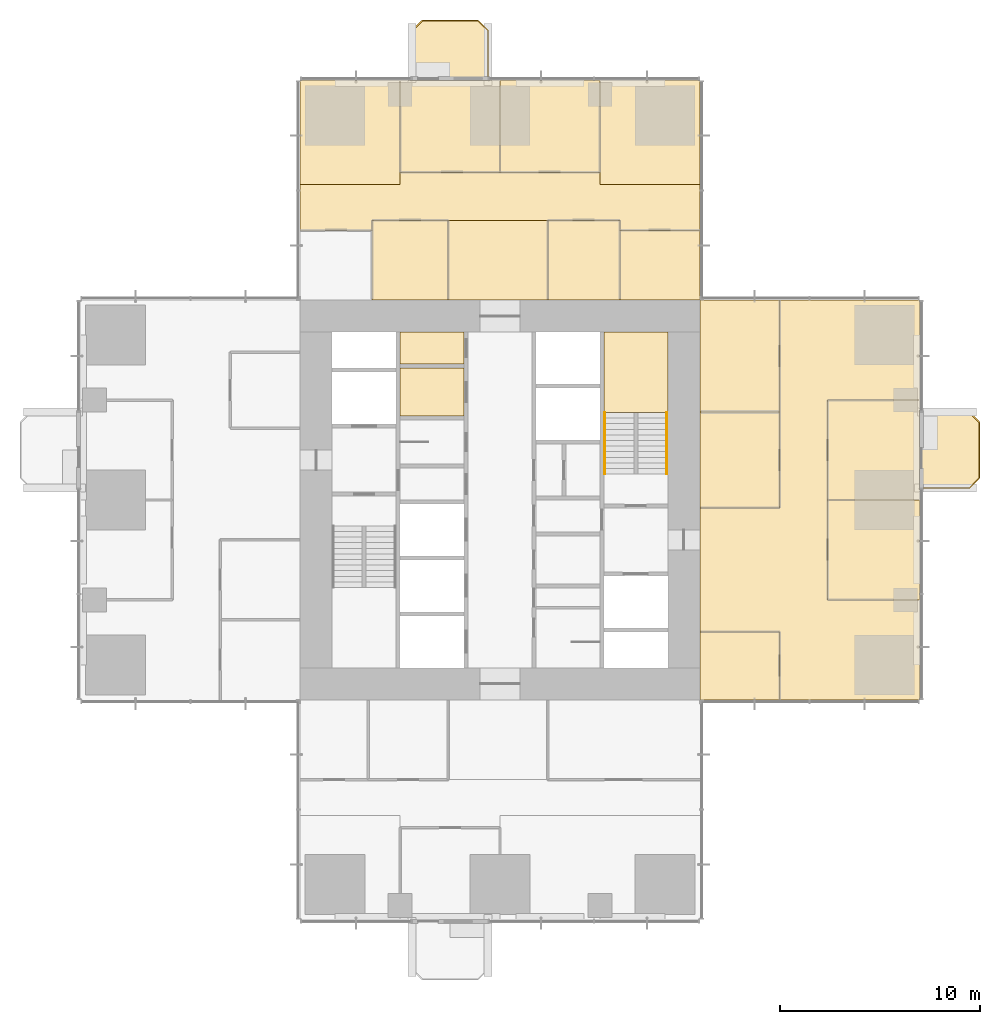
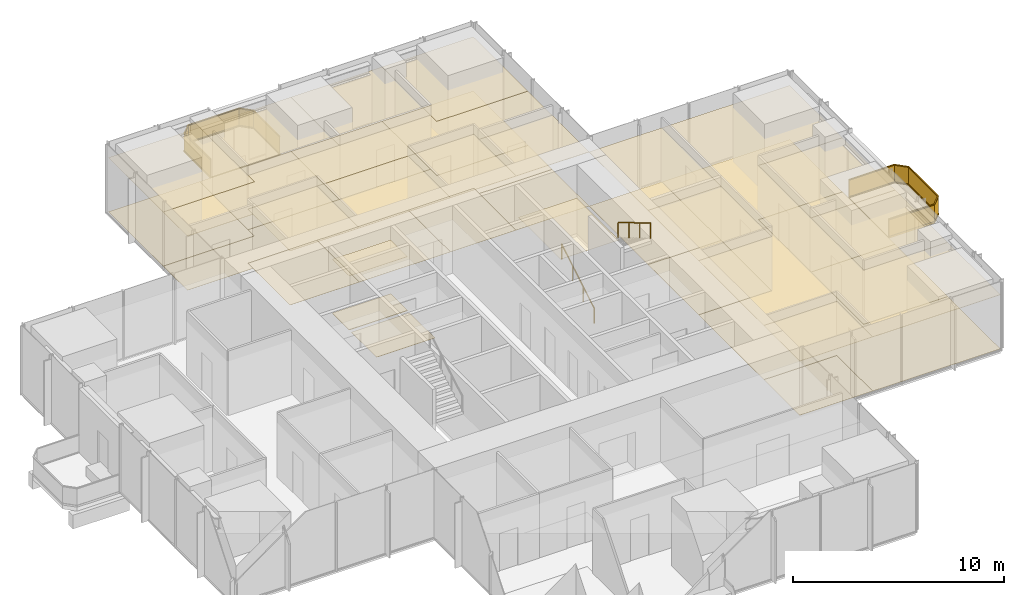
# One storey, part 13 of 14: 36 coverings, 4 railings.
"""IFC4 building model written with IfcOpenShell, lengths in metres."""

from ifc_helpers import new_model, si_unit, direction, frame, origin, origin_2d, place, context, subcontext, project, spatial, polyline, rectangle, circle, outline, extrude, material, layer, layer_set, type_object, element, save


model = new_model("IFC4")

# Units and contexts
model_context = context("Model", 3, precision=1e-05, world=origin(), true_north=direction((0.0, 1.0)))
body_context = subcontext(model_context, "Body", "Model", "MODEL_VIEW")
ifc_project = project(units=[si_unit("LENGTHUNIT", "METRE"), si_unit("AREAUNIT", "SQUARE_METRE"), si_unit("VOLUMEUNIT", "CUBIC_METRE"), si_unit("PLANEANGLEUNIT", "RADIAN"), si_unit("MASSUNIT", "GRAM", prefix="KILO")], contexts=[model_context])

# Site, building, storey
site_placement = place(None, origin())
site = spatial("IfcSite", under=ifc_project, at=site_placement, CompositionType="ELEMENT")
building_placement = place(site_placement, origin())
building = spatial("IfcBuilding", under=site, at=building_placement, Name="Svetlomir Tower", CompositionType="ELEMENT")
storey_placement = place(building_placement, frame((0.0, 0.0, 108.5)))
storey = spatial("IfcBuildingStorey", under=building, at=storey_placement, Name="L25", CompositionType="ELEMENT", Elevation=108.5)

# Railings
ifc_material_1 = material(Name="Bronze anodised aluminium and laminated glass", Category="aluminium")
railing_type_1 = type_object("IfcRailingType", Name="BALCONY GUARD GR1 1100", PredefinedType="GUARDRAIL", material=ifc_material_1)
railing_1_placement = place(storey_placement, frame((42.0, 21.60009765625, 0.0)))
element("IfcRailing", 1, at=railing_1_placement, inside=storey, type_object=railing_type_1, Name="Balcony guard E L25", PredefinedType="GUARDRAIL", context=body_context, shape_type="SweptSolid", body=[
    extrude(rectangle(XDim=0.06005859375, YDim=0.10009765625, at=origin_2d()), frame((0.0, 0.0, 0.050048828125), z_axis=(1.0, 0.0, 0.0), x_axis=(0.0, 1.0, 0.0)), (0.0, 0.0, 1.0), 2.5),
    extrude(rectangle(XDim=0.021484375, YDim=0.960205078125, at=origin_2d()), frame((0.0, 0.0, 0.580078125), z_axis=(1.0, 0.0, 0.0), x_axis=(0.0, 1.0, 0.0)), (0.0, 0.0, 1.0), 2.5),
    extrude(rectangle(XDim=0.06005859375, YDim=0.0400390625, at=origin_2d()), frame((0.0, 0.0, 1.080078125), z_axis=(1.0, 0.0, 0.0), x_axis=(0.0, 1.0, 0.0)), (0.0, 0.0, 1.0), 2.5),
    extrude(rectangle(XDim=0.06005859375, YDim=0.10009765625, at=origin_2d()), frame((2.5, 0.0, 0.050048828125), z_axis=(0.707106781187, 0.707106781187, 0.0), x_axis=(-0.707106781187, 0.707106781187, 0.0)), (0.0, 0.0, 1.0), 0.70703125),
    extrude(rectangle(XDim=0.021484375, YDim=0.960205078125, at=origin_2d()), frame((2.5, 0.0, 0.580078125), z_axis=(0.707106781187, 0.707106781187, 0.0), x_axis=(-0.707106781187, 0.707106781187, 0.0)), (0.0, 0.0, 1.0), 0.70703125),
    extrude(rectangle(XDim=0.06005859375, YDim=0.0400390625, at=origin_2d()), frame((2.5, 0.0, 1.080078125), z_axis=(0.707106781187, 0.707106781187, 0.0), x_axis=(-0.707106781187, 0.707106781187, 0.0)), (0.0, 0.0, 1.0), 0.70703125),
    extrude(rectangle(XDim=0.06005859375, YDim=0.10009765625, at=origin_2d()), frame((3.0, 0.5, 0.050048828125), z_axis=(0.0, 1.0, 0.0), x_axis=(-1.0, 0.0, 0.0)), (0.0, 0.0, 1.0), 2.7998046875),
    extrude(rectangle(XDim=0.021484375, YDim=0.960205078125, at=origin_2d()), frame((3.0, 0.5, 0.580078125), z_axis=(0.0, 1.0, 0.0), x_axis=(-1.0, 0.0, 0.0)), (0.0, 0.0, 1.0), 2.7998046875),
    extrude(rectangle(XDim=0.06005859375, YDim=0.0400390625, at=origin_2d()), frame((3.0, 0.5, 1.080078125), z_axis=(0.0, 1.0, 0.0), x_axis=(-1.0, 0.0, 0.0)), (0.0, 0.0, 1.0), 2.7998046875),
    extrude(rectangle(XDim=0.06005859375, YDim=0.10009765625, at=origin_2d()), frame((3.0, 3.2998046875, 0.050048828125), z_axis=(-0.707106781187, 0.707106781187, 0.0), x_axis=(-0.707106781187, -0.707106781187, 0.0)), (0.0, 0.0, 1.0), 0.70703125),
    extrude(rectangle(XDim=0.021484375, YDim=0.960205078125, at=origin_2d()), frame((3.0, 3.2998046875, 0.580078125), z_axis=(-0.707106781187, 0.707106781187, 0.0), x_axis=(-0.707106781187, -0.707106781187, 0.0)), (0.0, 0.0, 1.0), 0.70703125),
    extrude(rectangle(XDim=0.06005859375, YDim=0.0400390625, at=origin_2d()), frame((3.0, 3.2998046875, 1.080078125), z_axis=(-0.707106781187, 0.707106781187, 0.0), x_axis=(-0.707106781187, -0.707106781187, 0.0)), (0.0, 0.0, 1.0), 0.70703125),
    extrude(rectangle(XDim=0.06005859375, YDim=0.10009765625, at=origin_2d()), frame((2.5, 3.7998046875, 0.050048828125), z_axis=(-1.0, 0.0, 0.0), x_axis=(0.0, -1.0, 0.0)), (0.0, 0.0, 1.0), 2.5),
    extrude(rectangle(XDim=0.021484375, YDim=0.960205078125, at=origin_2d()), frame((2.5, 3.7998046875, 0.580078125), z_axis=(-1.0, 0.0, 0.0), x_axis=(0.0, -1.0, 0.0)), (0.0, 0.0, 1.0), 2.5),
    extrude(rectangle(XDim=0.06005859375, YDim=0.0400390625, at=origin_2d()), frame((2.5, 3.7998046875, 1.080078125), z_axis=(-1.0, 0.0, 0.0), x_axis=(0.0, -1.0, 0.0)), (0.0, 0.0, 1.0), 2.5),
])
railing_2_placement = place(storey_placement, frame((20.39990234375, 42.0, 0.0)))
element("IfcRailing", 2, at=railing_2_placement, inside=storey, type_object=railing_type_1, Name="Balcony guard N L25", PredefinedType="GUARDRAIL", context=body_context, shape_type="SweptSolid", body=[
    extrude(rectangle(XDim=0.06005859375, YDim=0.10009765625, at=origin_2d()), frame((0.0, 0.0, 0.050048828125), z_axis=(0.0, 1.0, 0.0), x_axis=(-1.0, 0.0, 0.0)), (0.0, 0.0, 1.0), 2.5),
    extrude(rectangle(XDim=0.021484375, YDim=0.960205078125, at=origin_2d()), frame((0.0, 0.0, 0.580078125), z_axis=(0.0, 1.0, 0.0), x_axis=(-1.0, 0.0, 0.0)), (0.0, 0.0, 1.0), 2.5),
    extrude(rectangle(XDim=0.06005859375, YDim=0.0400390625, at=origin_2d()), frame((0.0, 0.0, 1.080078125), z_axis=(0.0, 1.0, 0.0), x_axis=(-1.0, 0.0, 0.0)), (0.0, 0.0, 1.0), 2.5),
    extrude(rectangle(XDim=0.06005859375, YDim=0.10009765625, at=origin_2d()), frame((0.0, 2.5, 0.050048828125), z_axis=(-0.707106781187, 0.707106781187, 0.0), x_axis=(-0.707106781187, -0.707106781187, 0.0)), (0.0, 0.0, 1.0), 0.70703125),
    extrude(rectangle(XDim=0.021484375, YDim=0.960205078125, at=origin_2d()), frame((0.0, 2.5, 0.580078125), z_axis=(-0.707106781187, 0.707106781187, 0.0), x_axis=(-0.707106781187, -0.707106781187, 0.0)), (0.0, 0.0, 1.0), 0.70703125),
    extrude(rectangle(XDim=0.06005859375, YDim=0.0400390625, at=origin_2d()), frame((0.0, 2.5, 1.080078125), z_axis=(-0.707106781187, 0.707106781187, 0.0), x_axis=(-0.707106781187, -0.707106781187, 0.0)), (0.0, 0.0, 1.0), 0.70703125),
    extrude(rectangle(XDim=0.06005859375, YDim=0.10009765625, at=origin_2d()), frame((-0.5, 3.0, 0.050048828125), z_axis=(-1.0, 0.0, 0.0), x_axis=(0.0, -1.0, 0.0)), (0.0, 0.0, 1.0), 2.7998046875),
    extrude(rectangle(XDim=0.021484375, YDim=0.960205078125, at=origin_2d()), frame((-0.5, 3.0, 0.580078125), z_axis=(-1.0, 0.0, 0.0), x_axis=(0.0, -1.0, 0.0)), (0.0, 0.0, 1.0), 2.7998046875),
    extrude(rectangle(XDim=0.06005859375, YDim=0.0400390625, at=origin_2d()), frame((-0.5, 3.0, 1.080078125), z_axis=(-1.0, 0.0, 0.0), x_axis=(0.0, -1.0, 0.0)), (0.0, 0.0, 1.0), 2.7998046875),
    extrude(rectangle(XDim=0.06005859375, YDim=0.10009765625, at=origin_2d()), frame((-3.2998046875, 3.0, 0.050048828125), z_axis=(-0.707106781187, -0.707106781187, 0.0), x_axis=(0.707106781187, -0.707106781187, 0.0)), (0.0, 0.0, 1.0), 0.70703125),
    extrude(rectangle(XDim=0.021484375, YDim=0.960205078125, at=origin_2d()), frame((-3.2998046875, 3.0, 0.580078125), z_axis=(-0.707106781187, -0.707106781187, 0.0), x_axis=(0.707106781187, -0.707106781187, 0.0)), (0.0, 0.0, 1.0), 0.70703125),
    extrude(rectangle(XDim=0.06005859375, YDim=0.0400390625, at=origin_2d()), frame((-3.2998046875, 3.0, 1.080078125), z_axis=(-0.707106781187, -0.707106781187, 0.0), x_axis=(0.707106781187, -0.707106781187, 0.0)), (0.0, 0.0, 1.0), 0.70703125),
    extrude(rectangle(XDim=0.06005859375, YDim=0.10009765625, at=origin_2d()), frame((-3.7998046875, 2.5, 0.050048828125), z_axis=(0.0, -1.0, 0.0), x_axis=(1.0, 0.0, 0.0)), (0.0, 0.0, 1.0), 2.5),
    extrude(rectangle(XDim=0.021484375, YDim=0.960205078125, at=origin_2d()), frame((-3.7998046875, 2.5, 0.580078125), z_axis=(0.0, -1.0, 0.0), x_axis=(1.0, 0.0, 0.0)), (0.0, 0.0, 1.0), 2.5),
    extrude(rectangle(XDim=0.06005859375, YDim=0.0400390625, at=origin_2d()), frame((-3.7998046875, 2.5, 1.080078125), z_axis=(0.0, -1.0, 0.0), x_axis=(1.0, 0.0, 0.0)), (0.0, 0.0, 1.0), 2.5),
])

# Coverings
ifc_material_2 = material(Name="Granite paving slabs on pedestals", Category="masonry")
ifc_layer_1 = layer(ifc_material_2, 0.0400390625)
ifc_layer_set_1 = layer_set([ifc_layer_1], Name="Granite paving slabs on pedestals")
covering_type_1 = type_object("IfcCoveringType", Name="BALCONY PAVING 40", PredefinedType="USERDEFINED", material=ifc_layer_set_1)
covering_1_placement = place(storey_placement, origin())
element("IfcCovering", 3, at=covering_1_placement, inside=storey, type_object=covering_type_1, Name="Balcony paving E L25", ObjectType="BALCONY PAVING", PredefinedType="USERDEFINED", context=body_context, shape_type="SweptSolid", body=[
    extrude(outline(polyline([(42.0, 21.60009765625), (44.5, 21.60009765625), (45.0, 22.10009765625), (45.0, 24.89990234375), (44.5, 25.39990234375), (42.0, 25.39990234375), (42.0, 21.60009765625)])), origin(), (0.0, 0.0, 1.0), 0.0400390625),
])
covering_2_placement = place(storey_placement, origin())
element("IfcCovering", 4, at=covering_2_placement, inside=storey, type_object=covering_type_1, Name="Balcony paving N L25", ObjectType="BALCONY PAVING", PredefinedType="USERDEFINED", context=body_context, shape_type="SweptSolid", body=[
    extrude(outline(polyline([(16.60009765625, 42.0), (20.39990234375, 42.0), (20.39990234375, 44.5), (19.89990234375, 45.0), (17.10009765625, 45.0), (16.60009765625, 44.5), (16.60009765625, 42.0)])), origin(), (0.0, 0.0, 1.0), 0.0400390625),
])
ifc_material_3 = material(Name="Carpet tile", Category="textile")
ifc_layer_2 = layer(ifc_material_3, 0.010009765625)
ifc_layer_set_2 = layer_set([ifc_layer_2], Name="Carpet tile")
covering_type_2 = type_object("IfcCoveringType", Name="CARPET TILE FLOOR 10", PredefinedType="FLOORING", material=ifc_layer_set_2)
covering_3_placement = place(storey_placement, origin())
element("IfcCovering", 5, at=covering_3_placement, inside=storey, type_object=covering_type_2, Name="Floor finish L25-20", PredefinedType="FLOORING", context=body_context, shape_type="SweptSolid", body=[
    extrude(outline(polyline([(31.0, 11.0), (35.0, 11.0), (35.0, 14.39990234375), (31.0, 14.39990234375), (31.0, 11.0)])), origin(), (0.0, 0.0, 1.0), 0.010009765625),
])
covering_4_placement = place(storey_placement, origin())
element("IfcCovering", 6, at=covering_4_placement, inside=storey, type_object=covering_type_2, Name="Floor finish L25-21", PredefinedType="FLOORING", context=body_context, shape_type="SweptSolid", body=[
    extrude(outline(polyline([(31.0, 20.60009765625), (35.0, 20.60009765625), (35.0, 25.39990234375), (31.0, 25.39990234375), (31.0, 20.60009765625)])), origin(), (0.0, 0.0, 1.0), 0.010009765625),
])
covering_5_placement = place(storey_placement, origin())
element("IfcCovering", 7, at=covering_5_placement, inside=storey, type_object=covering_type_2, Name="Floor finish L25-22", PredefinedType="FLOORING", context=body_context, shape_type="SweptSolid", body=[
    extrude(outline(polyline([(31.0, 25.39990234375), (35.0, 25.39990234375), (35.0, 31.0), (31.0, 31.0), (31.0, 25.39990234375)])), origin(), (0.0, 0.0, 1.0), 0.010009765625),
])
covering_6_placement = place(storey_placement, origin())
element("IfcCovering", 8, at=covering_6_placement, inside=storey, type_object=covering_type_2, Name="Floor finish L25-23", PredefinedType="FLOORING", context=body_context, shape_type="SweptSolid", body=[
    extrude(outline(polyline([(37.39990234375, 16.0), (42.0, 16.0), (42.0, 21.0), (37.39990234375, 21.0), (37.39990234375, 16.0)])), origin(), (0.0, 0.0, 1.0), 0.010009765625),
])
covering_7_placement = place(storey_placement, origin())
element("IfcCovering", 9, at=covering_7_placement, inside=storey, type_object=covering_type_2, Name="Floor finish L25-24", PredefinedType="FLOORING", context=body_context, shape_type="SweptSolid", body=[
    extrude(outline(polyline([(37.39990234375, 21.0), (42.0, 21.0), (42.0, 26.0), (37.39990234375, 26.0), (37.39990234375, 21.0)])), origin(), (0.0, 0.0, 1.0), 0.010009765625),
])
covering_8_placement = place(storey_placement, origin())
element("IfcCovering", 10, at=covering_8_placement, inside=storey, type_object=covering_type_2, Name="Floor finish L25-26", PredefinedType="FLOORING", context=body_context, shape_type="SweptSolid", body=[
    extrude(outline(polyline([(14.60009765625, 31.0), (18.39990234375, 31.0), (18.39990234375, 35.0), (14.60009765625, 35.0), (14.60009765625, 31.0)])), origin(), (0.0, 0.0, 1.0), 0.010009765625),
])
covering_9_placement = place(storey_placement, origin())
element("IfcCovering", 11, at=covering_9_placement, inside=storey, type_object=covering_type_2, Name="Floor finish L25-27", PredefinedType="FLOORING", context=body_context, shape_type="SweptSolid", body=[
    extrude(outline(polyline([(23.39990234375, 31.0), (27.0, 31.0), (27.0, 35.0), (23.39990234375, 35.0), (23.39990234375, 31.0)])), origin(), (0.0, 0.0, 1.0), 0.010009765625),
])
covering_10_placement = place(storey_placement, origin())
element("IfcCovering", 12, at=covering_10_placement, inside=storey, type_object=covering_type_2, Name="Floor finish L25-28", PredefinedType="FLOORING", context=body_context, shape_type="SweptSolid", body=[
    extrude(outline(polyline([(27.0, 31.0), (31.0, 31.0), (31.0, 34.5), (27.0, 34.5), (27.0, 31.0)])), origin(), (0.0, 0.0, 1.0), 0.010009765625),
])
covering_11_placement = place(storey_placement, origin())
element("IfcCovering", 13, at=covering_11_placement, inside=storey, type_object=covering_type_2, Name="Floor finish L25-29", PredefinedType="FLOORING", context=body_context, shape_type="SweptSolid", body=[
    extrude(outline(polyline([(16.0, 37.39990234375), (21.0, 37.39990234375), (21.0, 42.0), (16.0, 42.0), (16.0, 37.39990234375)])), origin(), (0.0, 0.0, 1.0), 0.010009765625),
])
covering_12_placement = place(storey_placement, origin())
element("IfcCovering", 14, at=covering_12_placement, inside=storey, type_object=covering_type_2, Name="Floor finish L25-30", PredefinedType="FLOORING", context=body_context, shape_type="SweptSolid", body=[
    extrude(outline(polyline([(21.0, 37.39990234375), (26.0, 37.39990234375), (26.0, 42.0), (21.0, 42.0), (21.0, 37.39990234375)])), origin(), (0.0, 0.0, 1.0), 0.010009765625),
])
covering_13_placement = place(storey_placement, origin())
element("IfcCovering", 15, at=covering_13_placement, inside=storey, type_object=covering_type_2, Name="Floor finish L25-37", PredefinedType="FLOORING", context=body_context, shape_type="SweptSolid", body=[
    extrude(outline(polyline([(14.60009765625, 34.5), (11.0, 34.5), (11.0, 36.800048828125), (16.0, 36.800048828125), (16.0, 37.39990234375), (26.0, 37.39990234375), (26.0, 36.800048828125), (31.0, 36.800048828125), (31.0, 34.5), (27.0, 34.5), (27.0, 35.0), (14.60009765625, 35.0), (14.60009765625, 34.5)])), origin(), (0.0, 0.0, 1.0), 0.010009765625),
])
covering_14_placement = place(storey_placement, origin())
element("IfcCovering", 16, at=covering_14_placement, inside=storey, type_object=covering_type_2, Name="Floor finish L25-41", PredefinedType="FLOORING", context=body_context, shape_type="SweptSolid", body=[
    extrude(outline(polyline([(35.0, 14.39990234375), (31.0, 14.39990234375), (31.0, 20.60009765625), (35.0, 20.60009765625), (35.0, 31.0), (42.0, 31.0), (42.0, 26.0), (37.39990234375, 26.0), (37.39990234375, 16.0), (42.0, 16.0), (42.0, 11.0), (35.0, 11.0), (35.0, 14.39990234375)])), origin(), (0.0, 0.0, 1.0), 0.010009765625),
])
covering_15_placement = place(storey_placement, origin())
element("IfcCovering", 17, at=covering_15_placement, inside=storey, type_object=covering_type_2, Name="Floor finish L25-42", PredefinedType="FLOORING", context=body_context, shape_type="SweptSolid", body=[
    extrude(outline(polyline([(26.0, 36.800048828125), (26.0, 42.0), (31.0, 42.0), (31.0, 36.800048828125), (26.0, 36.800048828125)])), origin(), (0.0, 0.0, 1.0), 0.010009765625),
])
covering_16_placement = place(storey_placement, origin())
element("IfcCovering", 18, at=covering_16_placement, inside=storey, type_object=covering_type_2, Name="Floor finish L25-43", PredefinedType="FLOORING", context=body_context, shape_type="SweptSolid", body=[
    extrude(outline(polyline([(18.39990234375, 31.0), (18.39990234375, 35.0), (23.39990234375, 35.0), (23.39990234375, 31.0), (18.39990234375, 31.0)])), origin(), (0.0, 0.0, 1.0), 0.010009765625),
])
covering_17_placement = place(storey_placement, origin())
element("IfcCovering", 19, at=covering_17_placement, inside=storey, type_object=covering_type_2, Name="Floor finish L25-44", PredefinedType="FLOORING", context=body_context, shape_type="SweptSolid", body=[
    extrude(outline(polyline([(16.0, 42.0), (16.0, 36.800048828125), (11.0, 36.800048828125), (11.0, 42.0), (16.0, 42.0)])), origin(), (0.0, 0.0, 1.0), 0.010009765625),
])
ifc_material_4 = material(Name="Ceramic floor tile", Category="ceramic")
ifc_layer_3 = layer(ifc_material_4, 0.014892578125)
ifc_layer_set_3 = layer_set([ifc_layer_3], Name="Ceramic floor tile")
covering_type_3 = type_object("IfcCoveringType", Name="CERAMIC TILE FLOOR 15", PredefinedType="FLOORING", material=ifc_layer_set_3)
covering_18_placement = place(storey_placement, origin())
element("IfcCovering", 20, at=covering_18_placement, inside=storey, type_object=covering_type_3, Name="Floor finish L25-05", PredefinedType="FLOORING", context=body_context, shape_type="SweptSolid", body=[
    extrude(outline(polyline([(16.0, 25.199951171875), (19.199951171875, 25.199951171875), (19.199951171875, 27.60009765625), (16.0, 27.60009765625), (16.0, 25.199951171875)])), origin(), (0.0, 0.0, 1.0), 0.014892578125),
])

# Railings
ifc_material_5 = material(Name="Stainless steel", Category="steel")
railing_type_2 = type_object("IfcRailingType", Name="HANDRAIL HR1 900", PredefinedType="HANDRAIL", material=ifc_material_5)
railing_3_placement = place(storey_placement, frame((26.25, 22.300048828125, 0.166748046875)))
element("IfcRailing", 21, at=railing_3_placement, inside=storey, type_object=railing_type_2, Name="Handrail S2 flight 1 L25", PredefinedType="HANDRAIL", context=body_context, shape_type="SweptSolid", body=[
    extrude(circle(Radius=0.02392578125, at=origin_2d()), frame((0.0, 0.0, 0.8759765625), z_axis=(0.0, 0.859290745958, 0.51148745235), x_axis=(-1.0, 0.0, 0.0)), (0.0, 0.0, 1.0), 3.584228515625),
    extrude(circle(Radius=0.02099609375, at=origin_2d()), origin(), (0.0, 0.0, 1.0), 0.851806640625),
    extrude(circle(Radius=0.02099609375, at=origin_2d()), frame((0.0, 1.026611328125, 0.611083984375)), (0.0, 0.0, 1.0), 0.851806640625),
    extrude(circle(Radius=0.02099609375, at=origin_2d()), frame((0.0, 2.05322265625, 1.22216796875)), (0.0, 0.0, 1.0), 0.851806640625),
    extrude(circle(Radius=0.02099609375, at=origin_2d()), frame((0.0, 3.079833984375, 1.833251953125)), (0.0, 0.0, 1.0), 0.851806640625),
])
railing_4_placement = place(storey_placement, frame((29.35009765625, 25.3798828125, 2.166748046875)))
element("IfcRailing", 22, at=railing_4_placement, inside=storey, type_object=railing_type_2, Name="Handrail S2 flight 2 L25", PredefinedType="HANDRAIL", context=body_context, shape_type="SweptSolid", body=[
    extrude(circle(Radius=0.02392578125, at=origin_2d()), frame((0.0, 0.0, 0.8759765625), z_axis=(0.0, -0.859290745958, 0.51148745235), x_axis=(1.0, 0.0, 0.0)), (0.0, 0.0, 1.0), 3.584228515625),
    extrude(circle(Radius=0.02099609375, at=origin_2d()), origin(), (0.0, 0.0, 1.0), 0.851806640625),
    extrude(circle(Radius=0.02099609375, at=origin_2d()), frame((0.0, -1.026611328125, 0.611083984375)), (0.0, 0.0, 1.0), 0.851806640625),
    extrude(circle(Radius=0.02099609375, at=origin_2d()), frame((0.0, -2.05322265625, 1.22216796875)), (0.0, 0.0, 1.0), 0.851806640625),
    extrude(circle(Radius=0.02099609375, at=origin_2d()), frame((0.0, -3.079833984375, 1.833251953125)), (0.0, 0.0, 1.0), 0.851806640625),
])

# Coverings
ifc_material_6 = material(Name="Gypsum plasterboard ceiling", Category="gypsum")
ifc_layer_4 = layer(ifc_material_6, 0.014892578125)
ifc_layer_set_4 = layer_set([ifc_layer_4], Name="Gypsum plasterboard ceiling")
covering_type_4 = type_object("IfcCoveringType", Name="PLASTERBOARD CEILING 15", PredefinedType="CEILING", material=ifc_layer_set_4)
covering_19_placement = place(storey_placement, frame((0.0, 0.0, 3.135009765625)))
element("IfcCovering", 23, at=covering_19_placement, inside=storey, type_object=covering_type_4, Name="Ceiling L25-06", PredefinedType="CEILING", context=body_context, shape_type="SweptSolid", body=[
    extrude(outline(polyline([(16.0, 27.800048828125), (19.199951171875, 27.800048828125), (19.199951171875, 29.39990234375), (16.0, 29.39990234375), (16.0, 27.800048828125)])), origin(), (0.0, 0.0, 1.0), 0.014892578125),
])
ifc_material_7 = material(Name="Studded rubber floor finish", Category="rubber")
ifc_layer_5 = layer(ifc_material_7, 0.006103515625)
ifc_layer_set_5 = layer_set([ifc_layer_5], Name="Studded rubber floor finish")
covering_type_5 = type_object("IfcCoveringType", Name="RUBBER LANDING FINISH 6", PredefinedType="FLOORING", material=ifc_layer_set_5)
covering_20_placement = place(storey_placement, frame((0.0, 0.0, 2.0)))
element("IfcCovering", 24, at=covering_20_placement, inside=storey, type_object=covering_type_5, Name="Stair S2 landing finish L25", PredefinedType="FLOORING", context=body_context, shape_type="SweptSolid", body=[
    extrude(outline(polyline([(26.199951171875, 25.3798828125), (29.39990234375, 25.3798828125), (29.39990234375, 29.39990234375), (26.199951171875, 29.39990234375), (26.199951171875, 25.3798828125)])), origin(), (0.0, 0.0, 1.0), 0.006103515625),
])
ifc_material_8 = material(Name="Mineral fibre ceiling tile", Category="mineral")
ifc_layer_6 = layer(ifc_material_8, 0.02001953125)
ifc_layer_set_6 = layer_set([ifc_layer_6], Name="Mineral fibre ceiling tile")
covering_type_6 = type_object("IfcCoveringType", Name="SUSPENDED CEILING 20", PredefinedType="CEILING", material=ifc_layer_set_6)
covering_21_placement = place(storey_placement, frame((0.0, 0.0, 3.1298828125)))
element("IfcCovering", 25, at=covering_21_placement, inside=storey, type_object=covering_type_6, Name="Ceiling L25-20", PredefinedType="CEILING", context=body_context, shape_type="SweptSolid", body=[
    extrude(outline(polyline([(31.0, 11.0), (35.0, 11.0), (35.0, 14.39990234375), (31.0, 14.39990234375), (31.0, 11.0)])), origin(), (0.0, 0.0, 1.0), 0.02001953125),
])
covering_22_placement = place(storey_placement, frame((0.0, 0.0, 3.1298828125)))
element("IfcCovering", 26, at=covering_22_placement, inside=storey, type_object=covering_type_6, Name="Ceiling L25-21", PredefinedType="CEILING", context=body_context, shape_type="SweptSolid", body=[
    extrude(outline(polyline([(31.0, 20.60009765625), (35.0, 20.60009765625), (35.0, 25.39990234375), (31.0, 25.39990234375), (31.0, 20.60009765625)])), origin(), (0.0, 0.0, 1.0), 0.02001953125),
])
covering_23_placement = place(storey_placement, frame((0.0, 0.0, 3.1298828125)))
element("IfcCovering", 27, at=covering_23_placement, inside=storey, type_object=covering_type_6, Name="Ceiling L25-22", PredefinedType="CEILING", context=body_context, shape_type="SweptSolid", body=[
    extrude(outline(polyline([(31.0, 25.39990234375), (35.0, 25.39990234375), (35.0, 31.0), (31.0, 31.0), (31.0, 25.39990234375)])), origin(), (0.0, 0.0, 1.0), 0.02001953125),
])
covering_24_placement = place(storey_placement, frame((0.0, 0.0, 3.1298828125)))
element("IfcCovering", 28, at=covering_24_placement, inside=storey, type_object=covering_type_6, Name="Ceiling L25-23", PredefinedType="CEILING", context=body_context, shape_type="SweptSolid", body=[
    extrude(outline(polyline([(37.39990234375, 16.0), (42.0, 16.0), (42.0, 21.0), (37.39990234375, 21.0), (37.39990234375, 16.0)])), origin(), (0.0, 0.0, 1.0), 0.02001953125),
])
covering_25_placement = place(storey_placement, frame((0.0, 0.0, 3.1298828125)))
element("IfcCovering", 29, at=covering_25_placement, inside=storey, type_object=covering_type_6, Name="Ceiling L25-24", PredefinedType="CEILING", context=body_context, shape_type="SweptSolid", body=[
    extrude(outline(polyline([(37.39990234375, 21.0), (42.0, 21.0), (42.0, 26.0), (37.39990234375, 26.0), (37.39990234375, 21.0)])), origin(), (0.0, 0.0, 1.0), 0.02001953125),
])
covering_26_placement = place(storey_placement, frame((0.0, 0.0, 3.1298828125)))
element("IfcCovering", 30, at=covering_26_placement, inside=storey, type_object=covering_type_6, Name="Ceiling L25-26", PredefinedType="CEILING", context=body_context, shape_type="SweptSolid", body=[
    extrude(outline(polyline([(14.60009765625, 31.0), (18.39990234375, 31.0), (18.39990234375, 35.0), (14.60009765625, 35.0), (14.60009765625, 31.0)])), origin(), (0.0, 0.0, 1.0), 0.02001953125),
])
covering_27_placement = place(storey_placement, frame((0.0, 0.0, 3.1298828125)))
element("IfcCovering", 31, at=covering_27_placement, inside=storey, type_object=covering_type_6, Name="Ceiling L25-27", PredefinedType="CEILING", context=body_context, shape_type="SweptSolid", body=[
    extrude(outline(polyline([(23.39990234375, 31.0), (27.0, 31.0), (27.0, 35.0), (23.39990234375, 35.0), (23.39990234375, 31.0)])), origin(), (0.0, 0.0, 1.0), 0.02001953125),
])
covering_28_placement = place(storey_placement, frame((0.0, 0.0, 3.1298828125)))
element("IfcCovering", 32, at=covering_28_placement, inside=storey, type_object=covering_type_6, Name="Ceiling L25-28", PredefinedType="CEILING", context=body_context, shape_type="SweptSolid", body=[
    extrude(outline(polyline([(27.0, 31.0), (31.0, 31.0), (31.0, 34.5), (27.0, 34.5), (27.0, 31.0)])), origin(), (0.0, 0.0, 1.0), 0.02001953125),
])
covering_29_placement = place(storey_placement, frame((0.0, 0.0, 3.1298828125)))
element("IfcCovering", 33, at=covering_29_placement, inside=storey, type_object=covering_type_6, Name="Ceiling L25-29", PredefinedType="CEILING", context=body_context, shape_type="SweptSolid", body=[
    extrude(outline(polyline([(16.0, 37.39990234375), (21.0, 37.39990234375), (21.0, 42.0), (16.0, 42.0), (16.0, 37.39990234375)])), origin(), (0.0, 0.0, 1.0), 0.02001953125),
])
covering_30_placement = place(storey_placement, frame((0.0, 0.0, 3.1298828125)))
element("IfcCovering", 34, at=covering_30_placement, inside=storey, type_object=covering_type_6, Name="Ceiling L25-30", PredefinedType="CEILING", context=body_context, shape_type="SweptSolid", body=[
    extrude(outline(polyline([(21.0, 37.39990234375), (26.0, 37.39990234375), (26.0, 42.0), (21.0, 42.0), (21.0, 37.39990234375)])), origin(), (0.0, 0.0, 1.0), 0.02001953125),
])
covering_31_placement = place(storey_placement, frame((0.0, 0.0, 3.1298828125)))
element("IfcCovering", 35, at=covering_31_placement, inside=storey, type_object=covering_type_6, Name="Ceiling L25-37", PredefinedType="CEILING", context=body_context, shape_type="SweptSolid", body=[
    extrude(outline(polyline([(14.60009765625, 34.5), (11.0, 34.5), (11.0, 36.800048828125), (16.0, 36.800048828125), (16.0, 37.39990234375), (26.0, 37.39990234375), (26.0, 36.800048828125), (31.0, 36.800048828125), (31.0, 34.5), (27.0, 34.5), (27.0, 35.0), (14.60009765625, 35.0), (14.60009765625, 34.5)])), origin(), (0.0, 0.0, 1.0), 0.02001953125),
])
covering_32_placement = place(storey_placement, frame((0.0, 0.0, 3.1298828125)))
element("IfcCovering", 36, at=covering_32_placement, inside=storey, type_object=covering_type_6, Name="Ceiling L25-41", PredefinedType="CEILING", context=body_context, shape_type="SweptSolid", body=[
    extrude(outline(polyline([(35.0, 14.39990234375), (31.0, 14.39990234375), (31.0, 20.60009765625), (35.0, 20.60009765625), (35.0, 31.0), (42.0, 31.0), (42.0, 26.0), (37.39990234375, 26.0), (37.39990234375, 16.0), (42.0, 16.0), (42.0, 11.0), (35.0, 11.0), (35.0, 14.39990234375)])), origin(), (0.0, 0.0, 1.0), 0.02001953125),
])
covering_33_placement = place(storey_placement, frame((0.0, 0.0, 3.1298828125)))
element("IfcCovering", 37, at=covering_33_placement, inside=storey, type_object=covering_type_6, Name="Ceiling L25-42", PredefinedType="CEILING", context=body_context, shape_type="SweptSolid", body=[
    extrude(outline(polyline([(26.0, 36.800048828125), (26.0, 42.0), (31.0, 42.0), (31.0, 36.800048828125), (26.0, 36.800048828125)])), origin(), (0.0, 0.0, 1.0), 0.02001953125),
])
covering_34_placement = place(storey_placement, frame((0.0, 0.0, 3.1298828125)))
element("IfcCovering", 38, at=covering_34_placement, inside=storey, type_object=covering_type_6, Name="Ceiling L25-43", PredefinedType="CEILING", context=body_context, shape_type="SweptSolid", body=[
    extrude(outline(polyline([(18.39990234375, 31.0), (18.39990234375, 35.0), (23.39990234375, 35.0), (23.39990234375, 31.0), (18.39990234375, 31.0)])), origin(), (0.0, 0.0, 1.0), 0.02001953125),
])
covering_35_placement = place(storey_placement, frame((0.0, 0.0, 3.1298828125)))
element("IfcCovering", 39, at=covering_35_placement, inside=storey, type_object=covering_type_6, Name="Ceiling L25-44", PredefinedType="CEILING", context=body_context, shape_type="SweptSolid", body=[
    extrude(outline(polyline([(16.0, 42.0), (16.0, 36.800048828125), (11.0, 36.800048828125), (11.0, 42.0), (16.0, 42.0)])), origin(), (0.0, 0.0, 1.0), 0.02001953125),
])
ifc_material_9 = material(Name="Bronze-aggregate terrazzo", Category="stone")
ifc_layer_7 = layer(ifc_material_9, 0.030029296875)
ifc_layer_set_7 = layer_set([ifc_layer_7], Name="Bronze-aggregate terrazzo")
covering_type_7 = type_object("IfcCoveringType", Name="TERRAZZO FLOOR 30", PredefinedType="FLOORING", material=ifc_layer_set_7)
covering_36_placement = place(storey_placement, origin())
element("IfcCovering", 40, at=covering_36_placement, inside=storey, type_object=covering_type_7, Name="Floor finish L25-06", PredefinedType="FLOORING", context=body_context, shape_type="SweptSolid", body=[
    extrude(outline(polyline([(16.0, 27.800048828125), (19.199951171875, 27.800048828125), (19.199951171875, 29.39990234375), (16.0, 29.39990234375), (16.0, 27.800048828125)])), origin(), (0.0, 0.0, 1.0), 0.030029296875),
])

save(model, "model.ifc")
